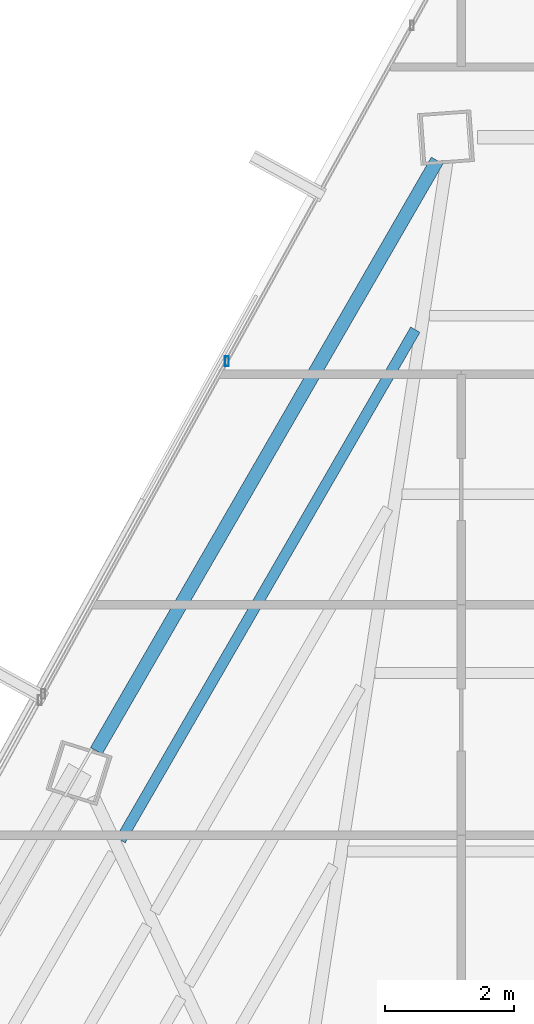
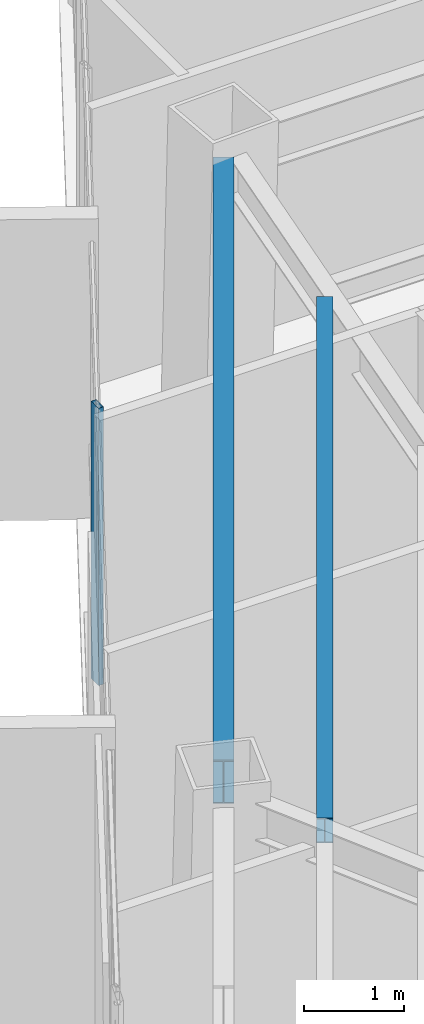
# One storey, part 29 of 42: 2 beams, 1 member, 1 element without a shape of its own.
"""IFC4 building model written with IfcOpenShell, lengths in metres."""

from ifc_helpers import new_model, si_unit, direction, frame, origin, origin_2d, place, context, subcontext, project, spatial, hollow_rectangle, i_section, extrude, source, transform, mapped, material, material_profile, profile_set, type_object, type_shapes, element, aggregate, save


model = new_model("IFC4")

# Units and contexts
model_context = context("Model", 3, precision=1e-05, world=origin(), true_north=direction((0.0, 1.0)))
body_context = subcontext(model_context, "Body", "Model", "MODEL_VIEW")
ifc_project = project(units=[si_unit("LENGTHUNIT", "METRE"), si_unit("AREAUNIT", "SQUARE_METRE"), si_unit("VOLUMEUNIT", "CUBIC_METRE"), si_unit("PLANEANGLEUNIT", "RADIAN"), si_unit("MASSUNIT", "GRAM", prefix="KILO")], contexts=[model_context])

# Site, building, storey
site_placement = place(None, origin())
site = spatial("IfcSite", under=ifc_project, at=site_placement, CompositionType="ELEMENT")
building_placement = place(site_placement, origin())
building = spatial("IfcBuilding", under=site, at=building_placement, Name="Caelisora Broadcast Tower", CompositionType="ELEMENT")
storey_placement = place(building_placement, frame((0.0, 0.0, 205.949951171875)))
storey = spatial("IfcBuildingStorey", under=building, at=storey_placement, Name="L54", CompositionType="ELEMENT", Elevation=205.949951171875)

# Beams
ifc_material_1 = material(Name="Steel Grade 350 (AS/NZS 3679.1)", Category="steel")
ifc_material_profile_1 = material_profile(ifc_material_1, i_section(OverallWidth=0.208984375, OverallDepth=0.532958984375, WebThickness=0.01025390625, FlangeThickness=0.015625, at=origin_2d()), Name="Steel Grade 350 (AS/NZS 3679.1)")
ifc_profile_set_1 = profile_set([ifc_material_profile_1], Name="Steel Grade 350 (AS/NZS 3679.1)")
beam_type_1 = type_object("IfcBeamType", Name="PG05", PredefinedType="BEAM", material=ifc_profile_set_1)
shared_shape_1 = source(origin(), body_context, "Body", "SweptSolid", [
    extrude(i_section(OverallWidth=0.208984375, OverallDepth=0.532958984375, WebThickness=0.01025390625, FlangeThickness=0.015625, at=origin_2d()), origin(), (0.0, 0.0, 1.0), 10.556884765625),
])
type_shapes(beam_type_1, [shared_shape_1])
beam_1_placement = place(storey_placement, frame((32.828125, 46.23193359375, 3.133544921875), z_axis=(-0.50000671437, -0.866021527206, 0.0), x_axis=(0.866021527206, -0.50000671437, 0.0)))
element("IfcBeam", 1, at=beam_1_placement, inside=storey, type_object=beam_type_1, Name="L54 beam PG05", PredefinedType="BEAM", context=body_context, shape_type="MappedRepresentation", body=[
    mapped(shared_shape_1, transform((0.0, 0.0, 0.0), scale=1.0)),
])
ifc_material_profile_2 = material_profile(ifc_material_1, i_section(OverallWidth=0.166015625, OverallDepth=0.30712890625, WebThickness=0.006591796875, FlangeThickness=0.01171875, at=origin_2d()), Name="Steel Grade 350 (AS/NZS 3679.1)")
ifc_profile_set_2 = profile_set([ifc_material_profile_2], Name="Steel Grade 350 (AS/NZS 3679.1)")
beam_type_2 = type_object("IfcBeamType", Name="SB03", PredefinedType="JOIST", material=ifc_profile_set_2)
shared_shape_2 = source(origin(), body_context, "Body", "SweptSolid", [
    extrude(i_section(OverallWidth=0.166015625, OverallDepth=0.30712890625, WebThickness=0.006591796875, FlangeThickness=0.01171875, at=origin_2d()), origin(), (0.0, 0.0, 1.0), 9.129150390625),
])
type_shapes(beam_type_2, [shared_shape_2])
beam_2_placement = place(storey_placement, frame((32.4892578125, 43.61181640625, 3.246337890625), z_axis=(-0.500013362725, -0.866017688674, 0.0), x_axis=(0.866017688674, -0.500013362725, 0.0)))
element("IfcBeam", 2, at=beam_2_placement, inside=storey, type_object=beam_type_2, Name="L54 beam SB03", PredefinedType="JOIST", context=body_context, shape_type="MappedRepresentation", body=[
    mapped(shared_shape_2, transform((0.0, 0.0, 0.0), scale=1.0)),
])

# Curtain wall, member
ifc_material_2 = material(Name="Unitised Aluminium and Low-E Glass Curtain Wall", Category="glass")
curtain_wall_type = type_object("IfcCurtainWallType", Name="CW-Z4", PredefinedType="NOTDEFINED", material=ifc_material_2)
curtain_wall_placement = place(storey_placement, origin())
curtain_wall = element("IfcCurtainWall", 3, at=curtain_wall_placement, inside=storey, type_object=curtain_wall_type, Name="L54 curtain wall CW-Z4", PredefinedType="NOTDEFINED")
ifc_material_3 = material(Name="Aluminium 6063-T6 Anodised Terracotta Bronze", Category="aluminium")
ifc_material_profile_3 = material_profile(ifc_material_3, hollow_rectangle(XDim=0.06005859375, YDim=0.14990234375, WallThickness=0.00341796875, at=origin_2d()), Name="Aluminium 6063-T6 Anodised Terracotta Bronze")
ifc_profile_set_3 = profile_set([ifc_material_profile_3], Name="Aluminium 6063-T6 Anodised Terracotta Bronze")
member_type = type_object("IfcMemberType", Name="CWM-03", PredefinedType="MULLION", material=ifc_profile_set_3)
shared_shape_3 = source(origin(), body_context, "Body", "SweptSolid", [
    extrude(hollow_rectangle(XDim=0.06005859375, YDim=0.14990234375, WallThickness=0.00341796875, at=origin_2d()), origin(), (0.0, 0.0, 1.0), 3.400146484375),
])
type_shapes(member_type, [shared_shape_3])
member_placement = place(storey_placement, frame((29.57080078125, 43.1240234375, 0.0), z_axis=(0.0, 0.0, 1.0), x_axis=(1.0, 0.0, 0.0)))
member = element("IfcMember", 4, at=member_placement, type_object=member_type, Name="L54-CW-B11 mullion #1", PredefinedType="MULLION", context=body_context, shape_type="MappedRepresentation", body=[
    mapped(shared_shape_3, transform((0.0, 0.0, 0.0), scale=1.0)),
])
aggregate(curtain_wall, [member])

save(model, "model.ifc")
